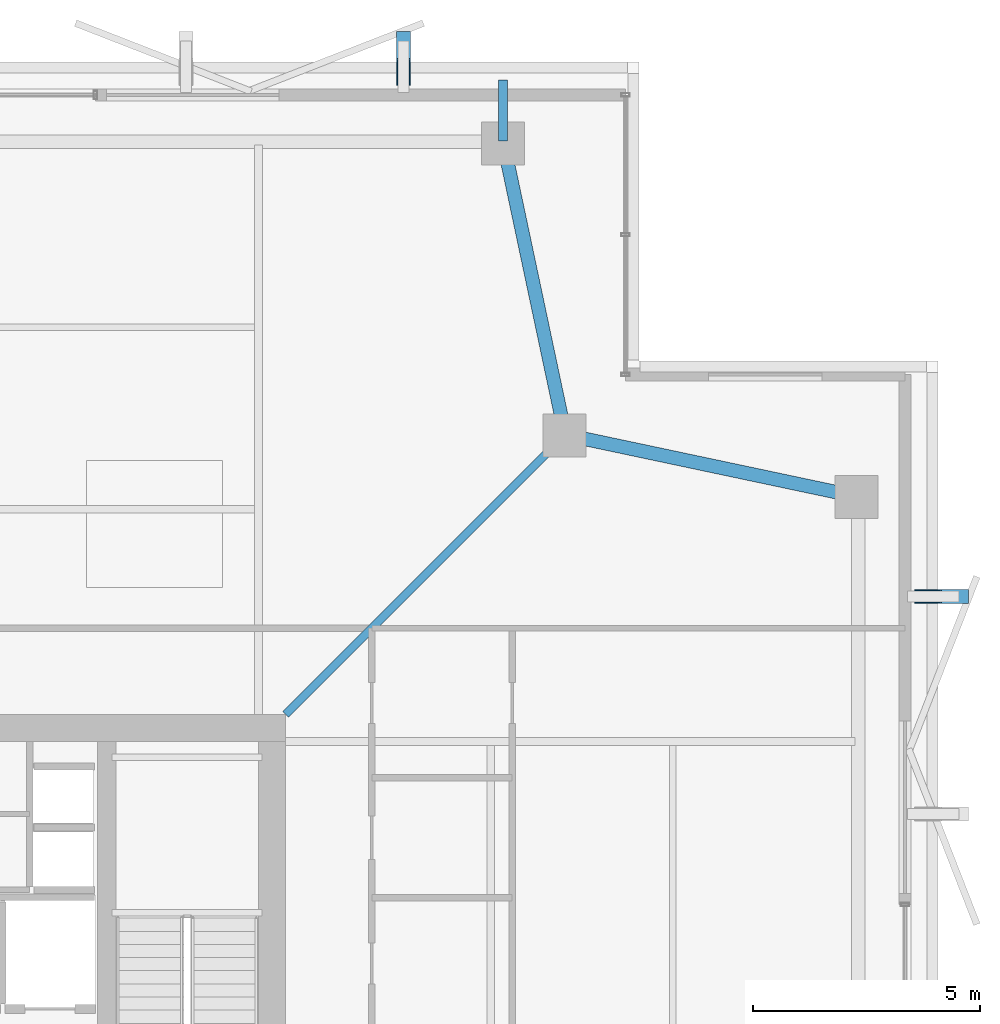
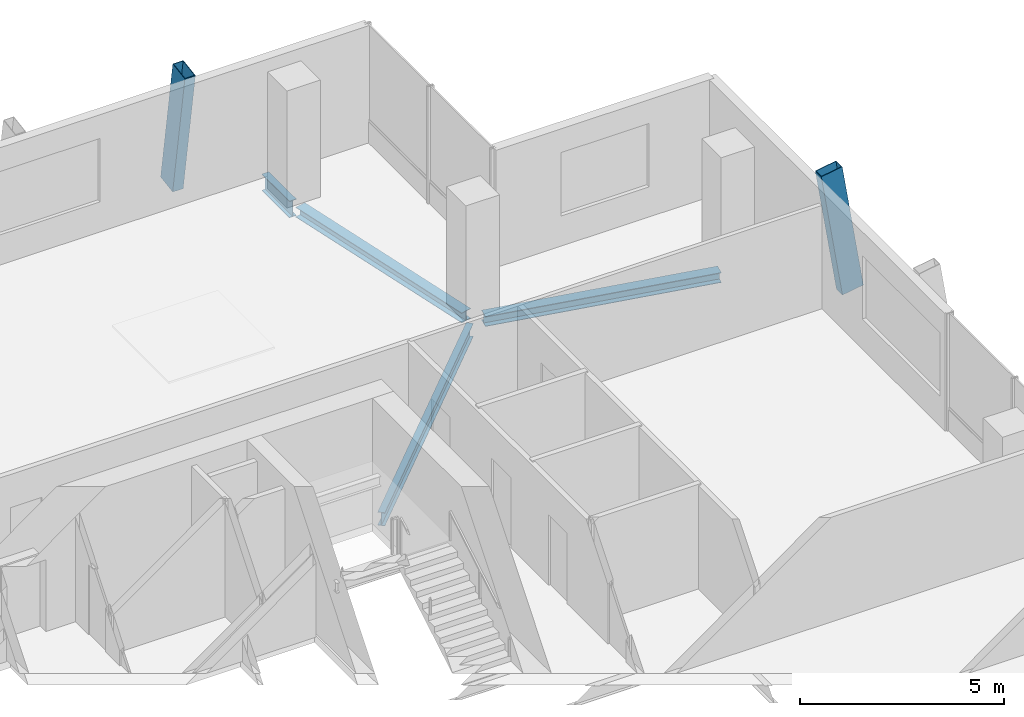
# One storey, part 18 of 26: 4 beams, 2 members.
"""IFC4 building model written with IfcOpenShell, lengths in metres."""

import ifcopenshell
import ifcopenshell.guid

model = None  # the IFC model being written
_history = None  # IfcOwnerHistory: only IFC2X3 demands one
_inside = {}  # id of a spatial element -> (the spatial element, [elements in it])
_under = {}  # id of a project, library or spatial element -> (it, [spatial elements below it])
_declared = {}  # id of a project -> (the project, [libraries it declares])
_typed = {}  # id of a type object -> (the type object, [elements of that type])
_made_of = {}  # id of a material, layer set ... -> (it, [elements and type objects made of it])


def new_model(schema):
    """Start an empty IFC model of exactly this schema.

    Asked for "IFC4X3", IfcOpenShell would pick the latest addendum, in which some entities
    have other attributes; the version numbers below select the first issue.
    IFC2X3 requires an IfcOwnerHistory on every rooted entity: one is made here for all.
    """
    global model, _history
    if schema == "IFC4X3":
        model = ifcopenshell.file(schema_version=(4, 3, 0, 0))
    else:
        model = ifcopenshell.file(schema=schema)
    _inside.clear()
    _under.clear()
    _declared.clear()
    _typed.clear()
    _made_of.clear()
    _history = None
    if model.schema == "IFC2X3":
        org = make("IfcOrganization", Name="unknown")
        user = make(
            "IfcPersonAndOrganization",
            ThePerson=make("IfcPerson", FamilyName="unknown"),
            TheOrganization=org,
        )
        app = make(
            "IfcApplication",
            ApplicationDeveloper=org,
            Version="unknown",
            ApplicationFullName="unknown",
            ApplicationIdentifier="unknown",
        )
        _history = make(
            "IfcOwnerHistory",
            OwningUser=user,
            OwningApplication=app,
            ChangeAction="ADDED",
            CreationDate=0,
        )
    return model


def make(cls, **values):
    """One entity of the class cls with the attributes given. An attribute that is None is left unset."""
    return model.create_entity(
        cls, **{name: value for name, value in values.items() if value is not None}
    )


def rooted(cls, **values):
    """An entity with a GlobalId (a new one), such as an element, a storey or a relation."""
    return make(cls, GlobalId=ifcopenshell.guid.new(), OwnerHistory=_history, **values)


def si_unit(unit_type, name, prefix=None):
    """IfcSIUnit, for example si_unit("LENGTHUNIT", "METRE", prefix="MILLI")."""
    return make("IfcSIUnit", UnitType=unit_type, Prefix=prefix, Name=name)


def assignment(units):
    """IfcUnitAssignment: the units of a project."""
    return None if units is None else make("IfcUnitAssignment", Units=units)


def point(xyz):
    """IfcCartesianPoint."""
    return None if xyz is None else make("IfcCartesianPoint", Coordinates=xyz)


def direction(xyz):
    """IfcDirection."""
    return None if xyz is None else make("IfcDirection", DirectionRatios=xyz)


def frame(location, z_axis=None, x_axis=None):
    """IfcAxis2Placement3D, a coordinate frame: its origin and axes. An axis left out is left unset."""
    return make(
        "IfcAxis2Placement3D",
        Location=point(location),
        Axis=direction(z_axis),
        RefDirection=direction(x_axis),
    )


def frame_2d(location, x_axis=None):
    """IfcAxis2Placement2D, a coordinate frame in the plane: its origin and x axis."""
    return make(
        "IfcAxis2Placement2D", Location=point(location), RefDirection=direction(x_axis)
    )


def origin():
    """The frame at (0, 0, 0) with its axes left unset."""
    return frame((0.0, 0.0, 0.0))


def origin_2d():
    """The frame at (0, 0) in the plane with its x axis left unset."""
    return frame_2d((0.0, 0.0))


def place(relative_to, where):
    """IfcLocalPlacement: puts the frame where relative to a parent placement (None: the world)."""
    return make(
        "IfcLocalPlacement", PlacementRelTo=relative_to, RelativePlacement=where
    )


def context(
    kind, dimensions, precision=None, world=None, true_north=None, identifier=None
):
    """IfcGeometricRepresentationContext, for example the 3D "Model" context."""
    return make(
        "IfcGeometricRepresentationContext",
        ContextIdentifier=identifier,
        ContextType=kind,
        CoordinateSpaceDimension=dimensions,
        Precision=precision,
        WorldCoordinateSystem=world,
        TrueNorth=true_north,
    )


def subcontext(parent, identifier, kind, view, scale=None):
    """IfcGeometricRepresentationSubContext, for example "Body" below "Model"."""
    return make(
        "IfcGeometricRepresentationSubContext",
        ContextIdentifier=identifier,
        ContextType=kind,
        ParentContext=parent,
        TargetScale=scale,
        TargetView=view,
    )


def project(units=None, contexts=None):
    """IfcProject with its units and contexts."""
    return rooted(
        "IfcProject",
        Name="project",
        RepresentationContexts=contexts,
        UnitsInContext=assignment(units),
    )


def spatial(cls, under=None, at=None, **own):
    """A site, building, storey or space (cls), placed at a placement, below another one or the project."""
    s = rooted(cls, ObjectPlacement=at, **own)
    if under is not None:
        _under.setdefault(under.id(), (under, []))[1].append(s)
    return s


def profile(cls, at=None, kind="AREA", **sizes):
    """A parametric profile (cls). Its sizes go by their IFC names, for example OverallWidth=200.0."""
    return make(cls, ProfileType=kind, Position=at, **sizes)


def hollow_rectangle(**sizes):
    """IfcRectangleHollowProfileDef."""
    return profile("IfcRectangleHollowProfileDef", **sizes)


def i_section(**sizes):
    """IfcIShapeProfileDef."""
    return profile("IfcIShapeProfileDef", **sizes)


def extrude(swept, where, along, depth):
    """IfcExtrudedAreaSolid: the profile swept, set in the frame where, extruded along a direction by depth."""
    return make(
        "IfcExtrudedAreaSolid",
        SweptArea=swept,
        Position=where,
        ExtrudedDirection=direction(along),
        Depth=depth,
    )


def shape(context_of_items, identifier, shape_type, items):
    """IfcShapeRepresentation: the items that make up one representation, for example the "Body"."""
    return make(
        "IfcShapeRepresentation",
        ContextOfItems=context_of_items,
        RepresentationIdentifier=identifier,
        RepresentationType=shape_type,
        Items=items,
    )


def material(Name=None, Category=None):
    """IfcMaterial."""
    return make("IfcMaterial", Name=Name, Category=Category)


def material_profile(
    of_material, cross_section, Name=None, Category=None, Priority=None
):
    """IfcMaterialProfile: a cross section and its material."""
    return make(
        "IfcMaterialProfile",
        Name=Name,
        Material=of_material,
        Profile=cross_section,
        Priority=Priority,
        Category=Category,
    )


def profile_set(profiles, Name=None, composite=None):
    """IfcMaterialProfileSet."""
    return make(
        "IfcMaterialProfileSet",
        Name=Name,
        MaterialProfiles=profiles,
        CompositeProfile=composite,
    )


def made_of(thing, what):
    """Note that an element or type object is made of a material, layer set ...; save() writes the relation."""
    if what is not None:
        _made_of.setdefault(what.id(), (what, []))[1].append(thing)
    return thing


def type_object(cls, material=None, **own):
    """A type object (cls), such as IfcWallType, which elements share."""
    return made_of(rooted(cls, **own), material)


def element(
    cls,
    number,
    at=None,
    inside=None,
    cuts=None,
    type_object=None,
    material=None,
    context=None,
    identifier="Body",
    shape_type=None,
    held_by="IfcProductDefinitionShape",
    body=None,
    shapes=None,
    **own,
):
    """One element of the class cls, such as IfcWall. Its Tag is "e" and its number.

    at: its placement. inside: the storey or other place that contains it. cuts: it is an
    opening in that element (IfcRelVoidsElement). A single representation is given by context,
    identifier, shape_type and body (its items); several are given by shapes. held_by: the class
    of the entity that holds the representations. save() writes the other relations.
    """
    e = rooted(cls, Tag="e%d" % number, ObjectPlacement=at, **own)
    if body is not None:
        shapes = [shape(context, identifier, shape_type, body)]
    if shapes is not None:
        e.Representation = make(held_by, Representations=shapes)
    if inside is not None:
        _inside.setdefault(inside.id(), (inside, []))[1].append(e)
    if cuts is not None:
        rooted(
            "IfcRelVoidsElement", RelatingBuildingElement=cuts, RelatedOpeningElement=e
        )
    if type_object is not None:
        _typed.setdefault(type_object.id(), (type_object, []))[1].append(e)
    return made_of(e, material)


def aggregate(whole, parts):
    """IfcRelAggregates: a whole, such as a stair, and the parts it consists of."""
    return rooted("IfcRelAggregates", RelatingObject=whole, RelatedObjects=parts)


def save(model, path):
    """Write the relations noted so far, then the file.

    IfcRelAggregates (storeys below a building ...), IfcRelContainedInSpatialStructure (elements
    in a storey), IfcRelDefinesByType, IfcRelAssociatesMaterial and IfcRelDeclares: one each for
    every whole, place, type object, material and project.
    """
    for whole, parts in _under.values():
        aggregate(whole, parts)
    for where, things in _inside.values():
        rooted(
            "IfcRelContainedInSpatialStructure",
            RelatedElements=things,
            RelatingStructure=where,
        )
    for kind, things in _typed.values():
        rooted("IfcRelDefinesByType", RelatedObjects=things, RelatingType=kind)
    for what, things in _made_of.values():
        rooted("IfcRelAssociatesMaterial", RelatedObjects=things, RelatingMaterial=what)
    for by, libraries in _declared.values():
        rooted("IfcRelDeclares", RelatingContext=by, RelatedDefinitions=libraries)
    model.write(path)


model = new_model("IFC4")

# Units and contexts
model_context = context("Model", 3, precision=1e-05, world=origin(), true_north=direction((0.0, 1.0)))
body_context = subcontext(model_context, "Body", "Model", "MODEL_VIEW")
ifc_project = project(units=[si_unit("LENGTHUNIT", "METRE"), si_unit("AREAUNIT", "SQUARE_METRE"), si_unit("VOLUMEUNIT", "CUBIC_METRE"), si_unit("PLANEANGLEUNIT", "RADIAN"), si_unit("MASSUNIT", "GRAM", prefix="KILO")], contexts=[model_context])

# Site, building, storey
site_placement = place(None, origin())
site = spatial("IfcSite", under=ifc_project, at=site_placement, CompositionType="ELEMENT")
building_placement = place(site_placement, origin())
building = spatial("IfcBuilding", under=site, at=building_placement, Name="Belovzor Exchange Tower", CompositionType="ELEMENT")
storey_placement = place(building_placement, frame((0.0, 0.0, 295.5)))
storey = spatial("IfcBuildingStorey", under=building, at=storey_placement, Name="L73", CompositionType="ELEMENT", Elevation=295.5)

# Beam
ifc_material_1 = material(Name="Steel S355", Category="steel")
ifc_material_profile_1 = material_profile(ifc_material_1, i_section(OverallWidth=0.199951171875, OverallDepth=0.5, WebThickness=0.01025390625, FlangeThickness=0.01611328125, at=origin_2d()))
ifc_profile_set_1 = profile_set([ifc_material_profile_1], Name="Steel S355")
beam_type_1 = type_object("IfcBeamType", Name="Planted Balcony Cantilever Beam IPE 500", PredefinedType="BEAM", material=ifc_profile_set_1)
beam_1_placement = place(storey_placement, frame((42.60009765625, 50.448974609375, -0.489990234375), z_axis=(0.0, 1.0, 0.0), x_axis=(-1.0, 0.0, 0.0)))
element("IfcBeam", 1, at=beam_1_placement, inside=storey, type_object=beam_type_1, Name="BC-500 Planted Balcony Cantilever Beam IPE 500", PredefinedType="BEAM", context=body_context, shape_type="SweptSolid", body=[
    extrude(i_section(OverallWidth=0.199951171875, OverallDepth=0.5, WebThickness=0.01025390625, FlangeThickness=0.01611328125, at=origin_2d()), origin(), (0.0, 0.0, 1.0), 1.35107421875),
])

# Members
ifc_material_2 = material(Name="Extruded Architectural Terracotta on Steel S355 Carrier", Category="masonry")
ifc_material_profile_2 = material_profile(ifc_material_2, hollow_rectangle(XDim=0.300048828125, YDim=0.60009765625, WallThickness=0.01611328125, at=origin_2d()))
ifc_profile_set_2 = profile_set([ifc_material_profile_2], Name="Extruded Architectural Terracotta on Steel S355 Carrier")
member_type = type_object("IfcMemberType", Name="Upper Crown Terracotta Fin Assembly 550", PredefinedType="USERDEFINED", material=ifc_profile_set_2)
for number, where, z_axis, x_axis, name in (
    (2, (40.39990234375, 52.574951171875, -0.239990234375), (0.0, -0.157952891656, 0.987446648694), (1.0, 0.0, 0.0), "FIN-TC055 Terracotta Facade Fin L73 N4"),
    (3, (52.574951171875, 40.39990234375, -0.239990234375), (-0.157952891656, 0.0, 0.987446648694), (0.0, -1.0, 0.0), "FIN-TC055 Terracotta Facade Fin L73 E4"),
):
    element("IfcMember", number, at=place(storey_placement, frame(where, z_axis=z_axis, x_axis=x_axis)), inside=storey, type_object=member_type, Name=name, ObjectType="FIN", PredefinedType="USERDEFINED", context=body_context, shape_type="SweptSolid", body=[
        extrude(hollow_rectangle(XDim=0.300048828125, YDim=0.60009765625, WallThickness=0.01611328125, at=origin_2d()), origin(), (0.0, 0.0, 1.0), 3.797607421875),
    ])

# Beams
ifc_material_3 = material(Name="Steel S355", Category="steel")
ifc_material_profile_3 = material_profile(ifc_material_3, i_section(OverallWidth=0.179931640625, OverallDepth=0.39990234375, WebThickness=0.008544921875, FlangeThickness=0.013427734375, at=origin_2d()))
ifc_profile_set_3 = profile_set([ifc_material_profile_3], Name="Steel S355")
beam_type_2 = type_object("IfcBeamType", Name="Zone 5-6 Radial Composite Floor Beam IPE 400", PredefinedType="BEAM", material=ifc_profile_set_3)
beam_2_placement = place(storey_placement, frame((37.800048828125, 37.800048828125, -0.43994140625), z_axis=(0.707106781187, 0.707106781187, 0.0), x_axis=(-0.707106781187, 0.707106781187, 0.0)))
element("IfcBeam", 4, at=beam_2_placement, inside=storey, type_object=beam_type_2, Name="FB-400 Zone 5-6 Radial Composite Floor Beam IPE 400", PredefinedType="BEAM", context=body_context, shape_type="SweptSolid", body=[
    extrude(i_section(OverallWidth=0.179931640625, OverallDepth=0.39990234375, WebThickness=0.008544921875, FlangeThickness=0.013427734375, at=origin_2d()), origin(), (0.0, 0.0, 1.0), 8.390380859375),
])
ifc_material_4 = material(Name="Steel S355", Category="steel")
ifc_material_profile_4 = material_profile(ifc_material_4, i_section(OverallWidth=0.300048828125, OverallDepth=0.300048828125, WebThickness=0.008544921875, FlangeThickness=0.013916015625, at=origin_2d()))
ifc_profile_set_4 = profile_set([ifc_material_profile_4], Name="Steel S355")
beam_type_3 = type_object("IfcBeamType", Name="Zone 6 Primary Girder HEA 300", PredefinedType="BEAM", material=ifc_profile_set_4)
for number, where, z_axis, x_axis, name in (
    (5, (50.18310546875, 42.654052734375, -0.389892578125), (-0.97828908762, 0.207244930078, 0.0), (-0.207244930078, -0.97828908762, 0.0), "FG-Z6 Zone 6 Primary Girder HEA 300"),
    (6, (43.916015625, 44.22607421875, -0.389892578125), (-0.207244930078, 0.97828908762, 0.0), (-0.97828908762, -0.207244930078, 0.0), "FG-Z6 Zone 6 Primary Girder HEA 300"),
):
    element("IfcBeam", number, at=place(storey_placement, frame(where, z_axis=z_axis, x_axis=x_axis)), inside=storey, type_object=beam_type_3, Name=name, PredefinedType="BEAM", context=body_context, shape_type="SweptSolid", body=[
        extrude(i_section(OverallWidth=0.300048828125, OverallDepth=0.300048828125, WebThickness=0.008544921875, FlangeThickness=0.013916015625, at=origin_2d()), origin(), (0.0, 0.0, 1.0), 6.08935546875),
    ])

save(model, "model.ifc")
